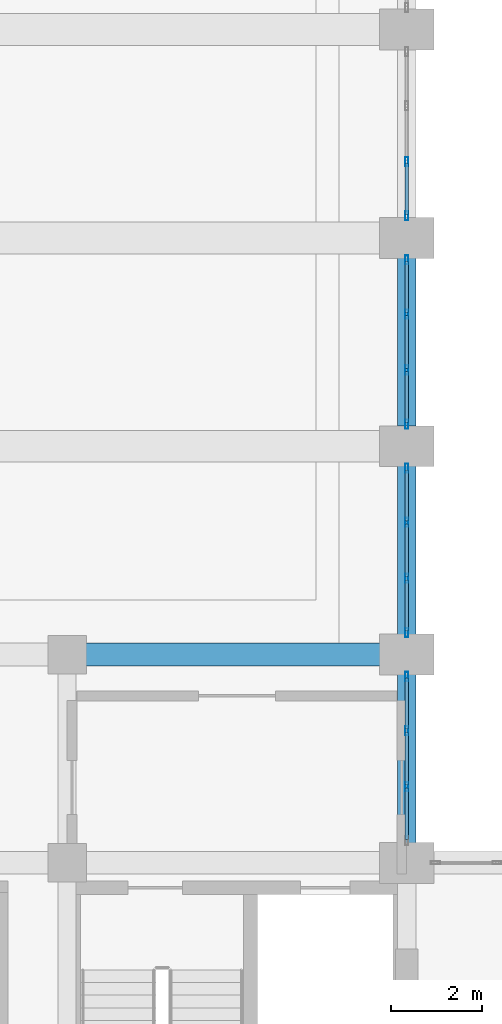
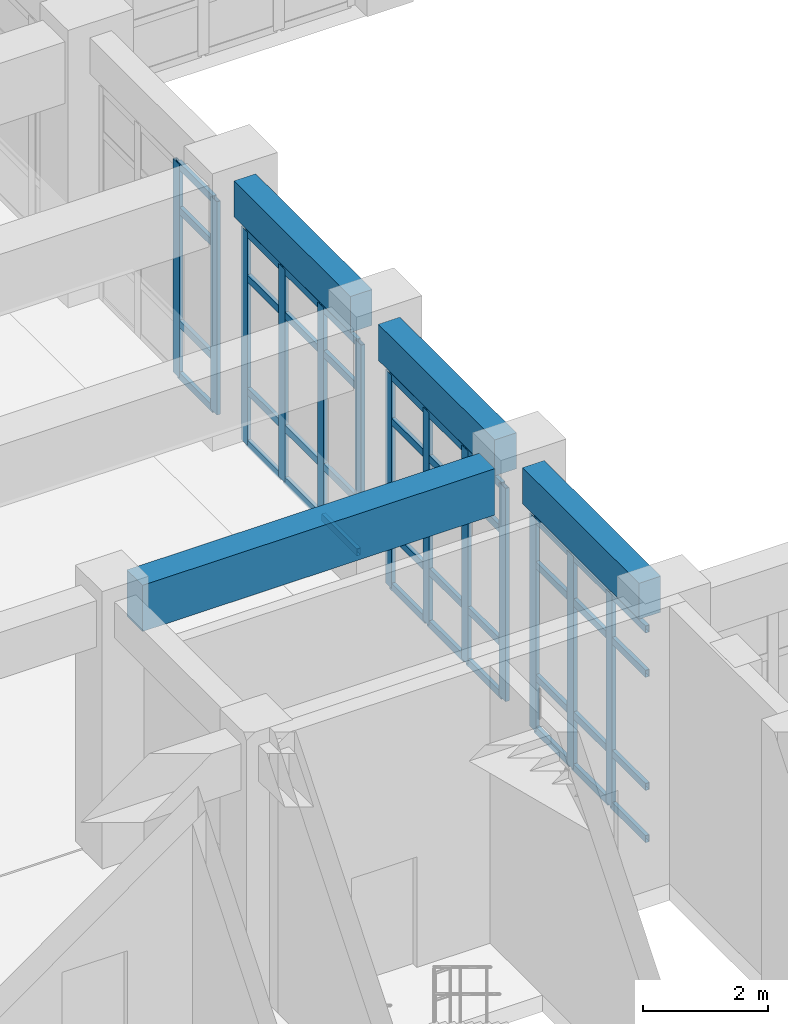
# One storey, part 39 of 84: 53 members, 4 beams, 4 elements without a shape of their own.
"""IFC4 building model written with IfcOpenShell, lengths in metres."""

from ifc_helpers import new_model, si_unit, direction, frame, origin, origin_2d, place, context, subcontext, project, spatial, rectangle, hollow_rectangle, extrude, material, layer, layer_set, material_profile, profile_set, type_object, element, aggregate, save


model = new_model("IFC4")

# Units and contexts
model_context = context("Model", 3, precision=1e-05, world=origin(), true_north=direction((0.0, 1.0)))
body_context = subcontext(model_context, "Body", "Model", "MODEL_VIEW")
ifc_project = project(units=[si_unit("LENGTHUNIT", "METRE"), si_unit("AREAUNIT", "SQUARE_METRE"), si_unit("VOLUMEUNIT", "CUBIC_METRE"), si_unit("PLANEANGLEUNIT", "RADIAN"), si_unit("MASSUNIT", "GRAM", prefix="KILO")], contexts=[model_context])

# Site, building, storey
site_placement = place(None, origin())
site = spatial("IfcSite", under=ifc_project, at=site_placement, CompositionType="ELEMENT")
building_placement = place(site_placement, origin())
building = spatial("IfcBuilding", under=site, at=building_placement, Name="Muzn Square Opera House", CompositionType="ELEMENT")
storey_placement = place(building_placement, origin())
storey = spatial("IfcBuildingStorey", under=building, at=storey_placement, Name="L00", CompositionType="ELEMENT", Elevation=0.0)

# Curtain wall, members
ifc_material_1 = material(Name="Low-E laminated acoustic double glazing", Category="glass")
ifc_layer = layer(ifc_material_1, 0.159912109375, Name="Low-E laminated acoustic double glazing", Category="glass")
ifc_layer_set = layer_set([ifc_layer], Name="Low-E laminated acoustic double glazing")
curtain_wall_type = type_object("IfcCurtainWallType", Name="Glazed Curtain Wall EastVaultCourt 3700x4150", PredefinedType="USERDEFINED", material=ifc_layer_set)
curtain_wall_1_placement = place(storey_placement, origin())
curtain_wall_1 = element("IfcCurtainWall", 1, at=curtain_wall_1_placement, inside=storey, type_object=curtain_wall_type, Name="Glazed Curtain Wall CW-L00-030", ObjectType="GLAZED CURTAIN WALL", PredefinedType="USERDEFINED")
ifc_material_2 = material(Name="Anodised bronze aluminium 6063-T6", Category="metal")
ifc_material_profile_1 = material_profile(ifc_material_2, hollow_rectangle(XDim=0.070068359375, YDim=0.199951171875, WallThickness=0.0048828125, at=origin_2d()), Name="ALU 200x70x5", Category="metal")
ifc_profile_set_1 = profile_set([ifc_material_profile_1], Name="Anodised bronze aluminium 6063-T6")
member_type_1 = type_object("IfcMemberType", Name="Curtain Wall Mullion 200x70", PredefinedType="MULLION", material=ifc_profile_set_1)
member_1_placement = place(storey_placement, frame((133.0, 32.88330078125, 0.0), z_axis=(0.0, 0.0, 1.0), x_axis=(-1.0, 0.0, 0.0)))
member_1 = element("IfcMember", 2, at=member_1_placement, type_object=member_type_1, Name="CW-EVC-37x41 mullion 2", PredefinedType="MULLION", context=body_context, shape_type="SweptSolid", body=[
    extrude(hollow_rectangle(XDim=0.070068359375, YDim=0.199951171875, WallThickness=0.0048828125, at=origin_2d()), origin(), (0.0, 0.0, 1.0), 4.14990234375),
])
member_2_placement = place(storey_placement, frame((133.0, 34.11669921875, 0.0), z_axis=(0.0, 0.0, 1.0), x_axis=(-1.0, 0.0, 0.0)))
member_2 = element("IfcMember", 3, at=member_2_placement, type_object=member_type_1, Name="CW-EVC-37x41 mullion 3", PredefinedType="MULLION", context=body_context, shape_type="SweptSolid", body=[
    extrude(hollow_rectangle(XDim=0.070068359375, YDim=0.199951171875, WallThickness=0.0048828125, at=origin_2d()), origin(), (0.0, 0.0, 1.0), 4.14990234375),
])
member_3_placement = place(storey_placement, frame((133.0, 35.31494140625, 0.0), z_axis=(0.0, 0.0, 1.0), x_axis=(-1.0, 0.0, 0.0)))
member_3 = element("IfcMember", 4, at=member_3_placement, type_object=member_type_1, Name="CW-EVC-37x41 mullion 4", PredefinedType="MULLION", context=body_context, shape_type="SweptSolid", body=[
    extrude(hollow_rectangle(XDim=0.070068359375, YDim=0.199951171875, WallThickness=0.0048828125, at=origin_2d()), origin(), (0.0, 0.0, 1.0), 4.14990234375),
])

curtain_wall_2_placement = place(storey_placement, origin())
curtain_wall_2 = element("IfcCurtainWall", 5, at=curtain_wall_2_placement, inside=storey, type_object=curtain_wall_type, Name="Glazed Curtain Wall CW-L00-032", ObjectType="GLAZED CURTAIN WALL", PredefinedType="USERDEFINED")
member_4_placement = place(storey_placement, frame((133.0, 36.284912109375, 0.0), z_axis=(0.0, 0.0, 1.0), x_axis=(-1.0, 0.0, 0.0)))
member_4 = element("IfcMember", 6, at=member_4_placement, type_object=member_type_1, Name="CW-EVC-37x41 mullion 1", PredefinedType="MULLION", context=body_context, shape_type="SweptSolid", body=[
    extrude(hollow_rectangle(XDim=0.070068359375, YDim=0.199951171875, WallThickness=0.0048828125, at=origin_2d()), origin(), (0.0, 0.0, 1.0), 4.14990234375),
])
member_5_placement = place(storey_placement, frame((133.0, 37.4833984375, 0.0), z_axis=(0.0, 0.0, 1.0), x_axis=(-1.0, 0.0, 0.0)))
member_5 = element("IfcMember", 7, at=member_5_placement, type_object=member_type_1, Name="CW-EVC-37x41 mullion 2", PredefinedType="MULLION", context=body_context, shape_type="SweptSolid", body=[
    extrude(hollow_rectangle(XDim=0.070068359375, YDim=0.199951171875, WallThickness=0.0048828125, at=origin_2d()), origin(), (0.0, 0.0, 1.0), 4.14990234375),
])
member_6_placement = place(storey_placement, frame((133.0, 38.716552734375, 0.0), z_axis=(0.0, 0.0, 1.0), x_axis=(-1.0, 0.0, 0.0)))
member_6 = element("IfcMember", 8, at=member_6_placement, type_object=member_type_1, Name="CW-EVC-37x41 mullion 3", PredefinedType="MULLION", context=body_context, shape_type="SweptSolid", body=[
    extrude(hollow_rectangle(XDim=0.070068359375, YDim=0.199951171875, WallThickness=0.0048828125, at=origin_2d()), origin(), (0.0, 0.0, 1.0), 4.14990234375),
])
member_7_placement = place(storey_placement, frame((133.0, 39.9150390625, 0.0), z_axis=(0.0, 0.0, 1.0), x_axis=(-1.0, 0.0, 0.0)))
member_7 = element("IfcMember", 9, at=member_7_placement, type_object=member_type_1, Name="CW-EVC-37x41 mullion 4", PredefinedType="MULLION", context=body_context, shape_type="SweptSolid", body=[
    extrude(hollow_rectangle(XDim=0.070068359375, YDim=0.199951171875, WallThickness=0.0048828125, at=origin_2d()), origin(), (0.0, 0.0, 1.0), 4.14990234375),
])

curtain_wall_3_placement = place(storey_placement, origin())
curtain_wall_3 = element("IfcCurtainWall", 10, at=curtain_wall_3_placement, inside=storey, type_object=curtain_wall_type, Name="Glazed Curtain Wall CW-L00-034", ObjectType="GLAZED CURTAIN WALL", PredefinedType="USERDEFINED")
member_8_placement = place(storey_placement, frame((133.0, 40.885009765625, 0.0), z_axis=(0.0, 0.0, 1.0), x_axis=(-1.0, 0.0, 0.0)))
member_8 = element("IfcMember", 11, at=member_8_placement, type_object=member_type_1, Name="CW-EVC-37x41 mullion 1", PredefinedType="MULLION", context=body_context, shape_type="SweptSolid", body=[
    extrude(hollow_rectangle(XDim=0.070068359375, YDim=0.199951171875, WallThickness=0.0048828125, at=origin_2d()), origin(), (0.0, 0.0, 1.0), 4.14990234375),
])
member_9_placement = place(storey_placement, frame((133.0, 42.083251953125, 0.0), z_axis=(0.0, 0.0, 1.0), x_axis=(-1.0, 0.0, 0.0)))
member_9 = element("IfcMember", 12, at=member_9_placement, type_object=member_type_1, Name="CW-EVC-37x41 mullion 2", PredefinedType="MULLION", context=body_context, shape_type="SweptSolid", body=[
    extrude(hollow_rectangle(XDim=0.070068359375, YDim=0.199951171875, WallThickness=0.0048828125, at=origin_2d()), origin(), (0.0, 0.0, 1.0), 4.14990234375),
])
member_10_placement = place(storey_placement, frame((133.0, 43.316650390625, 0.0), z_axis=(0.0, 0.0, 1.0), x_axis=(-1.0, 0.0, 0.0)))
member_10 = element("IfcMember", 13, at=member_10_placement, type_object=member_type_1, Name="CW-EVC-37x41 mullion 3", PredefinedType="MULLION", context=body_context, shape_type="SweptSolid", body=[
    extrude(hollow_rectangle(XDim=0.070068359375, YDim=0.199951171875, WallThickness=0.0048828125, at=origin_2d()), origin(), (0.0, 0.0, 1.0), 4.14990234375),
])
member_11_placement = place(storey_placement, frame((133.0, 44.514892578125, 0.0), z_axis=(0.0, 0.0, 1.0), x_axis=(-1.0, 0.0, 0.0)))
member_11 = element("IfcMember", 14, at=member_11_placement, type_object=member_type_1, Name="CW-EVC-37x41 mullion 4", PredefinedType="MULLION", context=body_context, shape_type="SweptSolid", body=[
    extrude(hollow_rectangle(XDim=0.070068359375, YDim=0.199951171875, WallThickness=0.0048828125, at=origin_2d()), origin(), (0.0, 0.0, 1.0), 4.14990234375),
])

curtain_wall_4_placement = place(storey_placement, origin())
curtain_wall_4 = element("IfcCurtainWall", 15, at=curtain_wall_4_placement, inside=storey, type_object=curtain_wall_type, Name="Glazed Curtain Wall CW-L00-036", ObjectType="GLAZED CURTAIN WALL", PredefinedType="USERDEFINED")
member_12_placement = place(storey_placement, frame((133.0, 45.485107421875, 0.0), z_axis=(0.0, 0.0, 1.0), x_axis=(-1.0, 0.0, 0.0)))
member_12 = element("IfcMember", 16, at=member_12_placement, type_object=member_type_1, Name="CW-EVC-37x41 mullion 1", PredefinedType="MULLION", context=body_context, shape_type="SweptSolid", body=[
    extrude(hollow_rectangle(XDim=0.070068359375, YDim=0.199951171875, WallThickness=0.0048828125, at=origin_2d()), origin(), (0.0, 0.0, 1.0), 4.14990234375),
])
member_13_placement = place(storey_placement, frame((133.0, 46.683349609375, 0.0), z_axis=(0.0, 0.0, 1.0), x_axis=(-1.0, 0.0, 0.0)))
member_13 = element("IfcMember", 17, at=member_13_placement, type_object=member_type_1, Name="CW-EVC-37x41 mullion 2", PredefinedType="MULLION", context=body_context, shape_type="SweptSolid", body=[
    extrude(hollow_rectangle(XDim=0.070068359375, YDim=0.199951171875, WallThickness=0.0048828125, at=origin_2d()), origin(), (0.0, 0.0, 1.0), 4.14990234375),
])

# Member
ifc_material_profile_2 = material_profile(ifc_material_2, hollow_rectangle(XDim=0.070068359375, YDim=0.139892578125, WallThickness=0.00390625, at=origin_2d()), Name="ALU 140x70x4", Category="metal")
ifc_profile_set_2 = profile_set([ifc_material_profile_2], Name="Anodised bronze aluminium 6063-T6")
member_type_2 = type_object("IfcMemberType", Name="Curtain Wall Transom 140x70", PredefinedType="USERDEFINED", material=ifc_profile_set_2)
member_14_placement = place(storey_placement, frame((133.0, 31.719970703125, 0.034912109375), z_axis=(0.0, 1.0, 0.0), x_axis=(-1.0, 0.0, 0.0)))
member_14 = element("IfcMember", 18, at=member_14_placement, type_object=member_type_2, Name="CW-EVC-37x41 transom 1.1", ObjectType="TRANSOM", PredefinedType="USERDEFINED", context=body_context, shape_type="SweptSolid", body=[
    extrude(hollow_rectangle(XDim=0.070068359375, YDim=0.139892578125, WallThickness=0.00390625, at=origin_2d()), origin(), (0.0, 0.0, 1.0), 1.12841796875),
])

member_15_placement = place(storey_placement, frame((133.0, 31.719970703125, 1.050048828125), z_axis=(0.0, 1.0, 0.0), x_axis=(-1.0, 0.0, 0.0)))
member_15 = element("IfcMember", 19, at=member_15_placement, type_object=member_type_2, Name="CW-EVC-37x41 transom 1.2", ObjectType="TRANSOM", PredefinedType="USERDEFINED", context=body_context, shape_type="SweptSolid", body=[
    extrude(hollow_rectangle(XDim=0.070068359375, YDim=0.139892578125, WallThickness=0.00390625, at=origin_2d()), origin(), (0.0, 0.0, 1.0), 1.12841796875),
])

member_16_placement = place(storey_placement, frame((133.0, 31.719970703125, 3.25), z_axis=(0.0, 1.0, 0.0), x_axis=(-1.0, 0.0, 0.0)))
member_16 = element("IfcMember", 20, at=member_16_placement, type_object=member_type_2, Name="CW-EVC-37x41 transom 1.3", ObjectType="TRANSOM", PredefinedType="USERDEFINED", context=body_context, shape_type="SweptSolid", body=[
    extrude(hollow_rectangle(XDim=0.070068359375, YDim=0.139892578125, WallThickness=0.00390625, at=origin_2d()), origin(), (0.0, 0.0, 1.0), 1.12841796875),
])

member_17_placement = place(storey_placement, frame((133.0, 31.719970703125, 4.114990234375), z_axis=(0.0, 1.0, 0.0), x_axis=(-1.0, 0.0, 0.0)))
member_17 = element("IfcMember", 21, at=member_17_placement, type_object=member_type_2, Name="CW-EVC-37x41 transom 1.4", ObjectType="TRANSOM", PredefinedType="USERDEFINED", context=body_context, shape_type="SweptSolid", body=[
    extrude(hollow_rectangle(XDim=0.070068359375, YDim=0.139892578125, WallThickness=0.00390625, at=origin_2d()), origin(), (0.0, 0.0, 1.0), 1.12841796875),
])

member_18_placement = place(storey_placement, frame((133.0, 32.918212890625, 0.034912109375), z_axis=(0.0, 1.0, 0.0), x_axis=(-1.0, 0.0, 0.0)))
member_18 = element("IfcMember", 22, at=member_18_placement, type_object=member_type_2, Name="CW-EVC-37x41 transom 2.1", ObjectType="TRANSOM", PredefinedType="USERDEFINED", context=body_context, shape_type="SweptSolid", body=[
    extrude(hollow_rectangle(XDim=0.070068359375, YDim=0.139892578125, WallThickness=0.00390625, at=origin_2d()), origin(), (0.0, 0.0, 1.0), 1.16357421875),
])

member_19_placement = place(storey_placement, frame((133.0, 32.918212890625, 1.050048828125), z_axis=(0.0, 1.0, 0.0), x_axis=(-1.0, 0.0, 0.0)))
member_19 = element("IfcMember", 23, at=member_19_placement, type_object=member_type_2, Name="CW-EVC-37x41 transom 2.2", ObjectType="TRANSOM", PredefinedType="USERDEFINED", context=body_context, shape_type="SweptSolid", body=[
    extrude(hollow_rectangle(XDim=0.070068359375, YDim=0.139892578125, WallThickness=0.00390625, at=origin_2d()), origin(), (0.0, 0.0, 1.0), 1.16357421875),
])

member_20_placement = place(storey_placement, frame((133.0, 32.918212890625, 3.25), z_axis=(0.0, 1.0, 0.0), x_axis=(-1.0, 0.0, 0.0)))
member_20 = element("IfcMember", 24, at=member_20_placement, type_object=member_type_2, Name="CW-EVC-37x41 transom 2.3", ObjectType="TRANSOM", PredefinedType="USERDEFINED", context=body_context, shape_type="SweptSolid", body=[
    extrude(hollow_rectangle(XDim=0.070068359375, YDim=0.139892578125, WallThickness=0.00390625, at=origin_2d()), origin(), (0.0, 0.0, 1.0), 1.16357421875),
])

member_21_placement = place(storey_placement, frame((133.0, 32.918212890625, 4.114990234375), z_axis=(0.0, 1.0, 0.0), x_axis=(-1.0, 0.0, 0.0)))
member_21 = element("IfcMember", 25, at=member_21_placement, type_object=member_type_2, Name="CW-EVC-37x41 transom 2.4", ObjectType="TRANSOM", PredefinedType="USERDEFINED", context=body_context, shape_type="SweptSolid", body=[
    extrude(hollow_rectangle(XDim=0.070068359375, YDim=0.139892578125, WallThickness=0.00390625, at=origin_2d()), origin(), (0.0, 0.0, 1.0), 1.16357421875),
])

member_22_placement = place(storey_placement, frame((133.0, 34.151611328125, 0.034912109375), z_axis=(0.0, 1.0, 0.0), x_axis=(-1.0, 0.0, 0.0)))
member_22 = element("IfcMember", 26, at=member_22_placement, type_object=member_type_2, Name="CW-EVC-37x41 transom 3.1", ObjectType="TRANSOM", PredefinedType="USERDEFINED", context=body_context, shape_type="SweptSolid", body=[
    extrude(hollow_rectangle(XDim=0.070068359375, YDim=0.139892578125, WallThickness=0.00390625, at=origin_2d()), origin(), (0.0, 0.0, 1.0), 1.12841796875),
])

member_23_placement = place(storey_placement, frame((133.0, 34.151611328125, 1.050048828125), z_axis=(0.0, 1.0, 0.0), x_axis=(-1.0, 0.0, 0.0)))
member_23 = element("IfcMember", 27, at=member_23_placement, type_object=member_type_2, Name="CW-EVC-37x41 transom 3.2", ObjectType="TRANSOM", PredefinedType="USERDEFINED", context=body_context, shape_type="SweptSolid", body=[
    extrude(hollow_rectangle(XDim=0.070068359375, YDim=0.139892578125, WallThickness=0.00390625, at=origin_2d()), origin(), (0.0, 0.0, 1.0), 1.12841796875),
])

member_24_placement = place(storey_placement, frame((133.0, 34.151611328125, 3.25), z_axis=(0.0, 1.0, 0.0), x_axis=(-1.0, 0.0, 0.0)))
member_24 = element("IfcMember", 28, at=member_24_placement, type_object=member_type_2, Name="CW-EVC-37x41 transom 3.3", ObjectType="TRANSOM", PredefinedType="USERDEFINED", context=body_context, shape_type="SweptSolid", body=[
    extrude(hollow_rectangle(XDim=0.070068359375, YDim=0.139892578125, WallThickness=0.00390625, at=origin_2d()), origin(), (0.0, 0.0, 1.0), 1.12841796875),
])

member_25_placement = place(storey_placement, frame((133.0, 34.151611328125, 4.114990234375), z_axis=(0.0, 1.0, 0.0), x_axis=(-1.0, 0.0, 0.0)))
member_25 = element("IfcMember", 29, at=member_25_placement, type_object=member_type_2, Name="CW-EVC-37x41 transom 3.4", ObjectType="TRANSOM", PredefinedType="USERDEFINED", context=body_context, shape_type="SweptSolid", body=[
    extrude(hollow_rectangle(XDim=0.070068359375, YDim=0.139892578125, WallThickness=0.00390625, at=origin_2d()), origin(), (0.0, 0.0, 1.0), 1.12841796875),
])

aggregate(curtain_wall_1, [member_1, member_2, member_3, member_14, member_15, member_16, member_17, member_18, member_19, member_20, member_21, member_22, member_23, member_24, member_25])

member_26_placement = place(storey_placement, frame((133.0, 36.320068359375, 0.034912109375), z_axis=(0.0, 1.0, 0.0), x_axis=(-1.0, 0.0, 0.0)))
member_26 = element("IfcMember", 30, at=member_26_placement, type_object=member_type_2, Name="CW-EVC-37x41 transom 1.1", ObjectType="TRANSOM", PredefinedType="USERDEFINED", context=body_context, shape_type="SweptSolid", body=[
    extrude(hollow_rectangle(XDim=0.070068359375, YDim=0.139892578125, WallThickness=0.00390625, at=origin_2d()), origin(), (0.0, 0.0, 1.0), 1.128173828125),
])

member_27_placement = place(storey_placement, frame((133.0, 36.320068359375, 1.050048828125), z_axis=(0.0, 1.0, 0.0), x_axis=(-1.0, 0.0, 0.0)))
member_27 = element("IfcMember", 31, at=member_27_placement, type_object=member_type_2, Name="CW-EVC-37x41 transom 1.2", ObjectType="TRANSOM", PredefinedType="USERDEFINED", context=body_context, shape_type="SweptSolid", body=[
    extrude(hollow_rectangle(XDim=0.070068359375, YDim=0.139892578125, WallThickness=0.00390625, at=origin_2d()), origin(), (0.0, 0.0, 1.0), 1.128173828125),
])

member_28_placement = place(storey_placement, frame((133.0, 36.320068359375, 3.25), z_axis=(0.0, 1.0, 0.0), x_axis=(-1.0, 0.0, 0.0)))
member_28 = element("IfcMember", 32, at=member_28_placement, type_object=member_type_2, Name="CW-EVC-37x41 transom 1.3", ObjectType="TRANSOM", PredefinedType="USERDEFINED", context=body_context, shape_type="SweptSolid", body=[
    extrude(hollow_rectangle(XDim=0.070068359375, YDim=0.139892578125, WallThickness=0.00390625, at=origin_2d()), origin(), (0.0, 0.0, 1.0), 1.128173828125),
])

member_29_placement = place(storey_placement, frame((133.0, 36.320068359375, 4.114990234375), z_axis=(0.0, 1.0, 0.0), x_axis=(-1.0, 0.0, 0.0)))
member_29 = element("IfcMember", 33, at=member_29_placement, type_object=member_type_2, Name="CW-EVC-37x41 transom 1.4", ObjectType="TRANSOM", PredefinedType="USERDEFINED", context=body_context, shape_type="SweptSolid", body=[
    extrude(hollow_rectangle(XDim=0.070068359375, YDim=0.139892578125, WallThickness=0.00390625, at=origin_2d()), origin(), (0.0, 0.0, 1.0), 1.128173828125),
])

member_30_placement = place(storey_placement, frame((133.0, 37.518310546875, 0.034912109375), z_axis=(0.0, 1.0, 0.0), x_axis=(-1.0, 0.0, 0.0)))
member_30 = element("IfcMember", 34, at=member_30_placement, type_object=member_type_2, Name="CW-EVC-37x41 transom 2.1", ObjectType="TRANSOM", PredefinedType="USERDEFINED", context=body_context, shape_type="SweptSolid", body=[
    extrude(hollow_rectangle(XDim=0.070068359375, YDim=0.139892578125, WallThickness=0.00390625, at=origin_2d()), origin(), (0.0, 0.0, 1.0), 1.163330078125),
])

member_31_placement = place(storey_placement, frame((133.0, 37.518310546875, 1.050048828125), z_axis=(0.0, 1.0, 0.0), x_axis=(-1.0, 0.0, 0.0)))
member_31 = element("IfcMember", 35, at=member_31_placement, type_object=member_type_2, Name="CW-EVC-37x41 transom 2.2", ObjectType="TRANSOM", PredefinedType="USERDEFINED", context=body_context, shape_type="SweptSolid", body=[
    extrude(hollow_rectangle(XDim=0.070068359375, YDim=0.139892578125, WallThickness=0.00390625, at=origin_2d()), origin(), (0.0, 0.0, 1.0), 1.163330078125),
])

member_32_placement = place(storey_placement, frame((133.0, 37.518310546875, 3.25), z_axis=(0.0, 1.0, 0.0), x_axis=(-1.0, 0.0, 0.0)))
member_32 = element("IfcMember", 36, at=member_32_placement, type_object=member_type_2, Name="CW-EVC-37x41 transom 2.3", ObjectType="TRANSOM", PredefinedType="USERDEFINED", context=body_context, shape_type="SweptSolid", body=[
    extrude(hollow_rectangle(XDim=0.070068359375, YDim=0.139892578125, WallThickness=0.00390625, at=origin_2d()), origin(), (0.0, 0.0, 1.0), 1.163330078125),
])

member_33_placement = place(storey_placement, frame((133.0, 37.518310546875, 4.114990234375), z_axis=(0.0, 1.0, 0.0), x_axis=(-1.0, 0.0, 0.0)))
member_33 = element("IfcMember", 37, at=member_33_placement, type_object=member_type_2, Name="CW-EVC-37x41 transom 2.4", ObjectType="TRANSOM", PredefinedType="USERDEFINED", context=body_context, shape_type="SweptSolid", body=[
    extrude(hollow_rectangle(XDim=0.070068359375, YDim=0.139892578125, WallThickness=0.00390625, at=origin_2d()), origin(), (0.0, 0.0, 1.0), 1.163330078125),
])

member_34_placement = place(storey_placement, frame((133.0, 38.751708984375, 0.034912109375), z_axis=(0.0, 1.0, 0.0), x_axis=(-1.0, 0.0, 0.0)))
member_34 = element("IfcMember", 38, at=member_34_placement, type_object=member_type_2, Name="CW-EVC-37x41 transom 3.1", ObjectType="TRANSOM", PredefinedType="USERDEFINED", context=body_context, shape_type="SweptSolid", body=[
    extrude(hollow_rectangle(XDim=0.070068359375, YDim=0.139892578125, WallThickness=0.00390625, at=origin_2d()), origin(), (0.0, 0.0, 1.0), 1.128173828125),
])

member_35_placement = place(storey_placement, frame((133.0, 38.751708984375, 1.050048828125), z_axis=(0.0, 1.0, 0.0), x_axis=(-1.0, 0.0, 0.0)))
member_35 = element("IfcMember", 39, at=member_35_placement, type_object=member_type_2, Name="CW-EVC-37x41 transom 3.2", ObjectType="TRANSOM", PredefinedType="USERDEFINED", context=body_context, shape_type="SweptSolid", body=[
    extrude(hollow_rectangle(XDim=0.070068359375, YDim=0.139892578125, WallThickness=0.00390625, at=origin_2d()), origin(), (0.0, 0.0, 1.0), 1.128173828125),
])

member_36_placement = place(storey_placement, frame((133.0, 38.751708984375, 3.25), z_axis=(0.0, 1.0, 0.0), x_axis=(-1.0, 0.0, 0.0)))
member_36 = element("IfcMember", 40, at=member_36_placement, type_object=member_type_2, Name="CW-EVC-37x41 transom 3.3", ObjectType="TRANSOM", PredefinedType="USERDEFINED", context=body_context, shape_type="SweptSolid", body=[
    extrude(hollow_rectangle(XDim=0.070068359375, YDim=0.139892578125, WallThickness=0.00390625, at=origin_2d()), origin(), (0.0, 0.0, 1.0), 1.128173828125),
])

member_37_placement = place(storey_placement, frame((133.0, 38.751708984375, 4.114990234375), z_axis=(0.0, 1.0, 0.0), x_axis=(-1.0, 0.0, 0.0)))
member_37 = element("IfcMember", 41, at=member_37_placement, type_object=member_type_2, Name="CW-EVC-37x41 transom 3.4", ObjectType="TRANSOM", PredefinedType="USERDEFINED", context=body_context, shape_type="SweptSolid", body=[
    extrude(hollow_rectangle(XDim=0.070068359375, YDim=0.139892578125, WallThickness=0.00390625, at=origin_2d()), origin(), (0.0, 0.0, 1.0), 1.128173828125),
])

aggregate(curtain_wall_2, [member_4, member_5, member_6, member_7, member_26, member_27, member_28, member_29, member_30, member_31, member_32, member_33, member_34, member_35, member_36, member_37])

member_38_placement = place(storey_placement, frame((133.0, 40.919921875, 0.034912109375), z_axis=(0.0, 1.0, 0.0), x_axis=(-1.0, 0.0, 0.0)))
member_38 = element("IfcMember", 42, at=member_38_placement, type_object=member_type_2, Name="CW-EVC-37x41 transom 1.1", ObjectType="TRANSOM", PredefinedType="USERDEFINED", context=body_context, shape_type="SweptSolid", body=[
    extrude(hollow_rectangle(XDim=0.070068359375, YDim=0.139892578125, WallThickness=0.00390625, at=origin_2d()), origin(), (0.0, 0.0, 1.0), 1.12841796875),
])

member_39_placement = place(storey_placement, frame((133.0, 40.919921875, 1.050048828125), z_axis=(0.0, 1.0, 0.0), x_axis=(-1.0, 0.0, 0.0)))
member_39 = element("IfcMember", 43, at=member_39_placement, type_object=member_type_2, Name="CW-EVC-37x41 transom 1.2", ObjectType="TRANSOM", PredefinedType="USERDEFINED", context=body_context, shape_type="SweptSolid", body=[
    extrude(hollow_rectangle(XDim=0.070068359375, YDim=0.139892578125, WallThickness=0.00390625, at=origin_2d()), origin(), (0.0, 0.0, 1.0), 1.12841796875),
])

member_40_placement = place(storey_placement, frame((133.0, 40.919921875, 3.25), z_axis=(0.0, 1.0, 0.0), x_axis=(-1.0, 0.0, 0.0)))
member_40 = element("IfcMember", 44, at=member_40_placement, type_object=member_type_2, Name="CW-EVC-37x41 transom 1.3", ObjectType="TRANSOM", PredefinedType="USERDEFINED", context=body_context, shape_type="SweptSolid", body=[
    extrude(hollow_rectangle(XDim=0.070068359375, YDim=0.139892578125, WallThickness=0.00390625, at=origin_2d()), origin(), (0.0, 0.0, 1.0), 1.12841796875),
])

member_41_placement = place(storey_placement, frame((133.0, 40.919921875, 4.114990234375), z_axis=(0.0, 1.0, 0.0), x_axis=(-1.0, 0.0, 0.0)))
member_41 = element("IfcMember", 45, at=member_41_placement, type_object=member_type_2, Name="CW-EVC-37x41 transom 1.4", ObjectType="TRANSOM", PredefinedType="USERDEFINED", context=body_context, shape_type="SweptSolid", body=[
    extrude(hollow_rectangle(XDim=0.070068359375, YDim=0.139892578125, WallThickness=0.00390625, at=origin_2d()), origin(), (0.0, 0.0, 1.0), 1.12841796875),
])

member_42_placement = place(storey_placement, frame((133.0, 42.118408203125, 0.034912109375), z_axis=(0.0, 1.0, 0.0), x_axis=(-1.0, 0.0, 0.0)))
member_42 = element("IfcMember", 46, at=member_42_placement, type_object=member_type_2, Name="CW-EVC-37x41 transom 2.1", ObjectType="TRANSOM", PredefinedType="USERDEFINED", context=body_context, shape_type="SweptSolid", body=[
    extrude(hollow_rectangle(XDim=0.070068359375, YDim=0.139892578125, WallThickness=0.00390625, at=origin_2d()), origin(), (0.0, 0.0, 1.0), 1.163330078125),
])

member_43_placement = place(storey_placement, frame((133.0, 42.118408203125, 1.050048828125), z_axis=(0.0, 1.0, 0.0), x_axis=(-1.0, 0.0, 0.0)))
member_43 = element("IfcMember", 47, at=member_43_placement, type_object=member_type_2, Name="CW-EVC-37x41 transom 2.2", ObjectType="TRANSOM", PredefinedType="USERDEFINED", context=body_context, shape_type="SweptSolid", body=[
    extrude(hollow_rectangle(XDim=0.070068359375, YDim=0.139892578125, WallThickness=0.00390625, at=origin_2d()), origin(), (0.0, 0.0, 1.0), 1.163330078125),
])

member_44_placement = place(storey_placement, frame((133.0, 42.118408203125, 3.25), z_axis=(0.0, 1.0, 0.0), x_axis=(-1.0, 0.0, 0.0)))
member_44 = element("IfcMember", 48, at=member_44_placement, type_object=member_type_2, Name="CW-EVC-37x41 transom 2.3", ObjectType="TRANSOM", PredefinedType="USERDEFINED", context=body_context, shape_type="SweptSolid", body=[
    extrude(hollow_rectangle(XDim=0.070068359375, YDim=0.139892578125, WallThickness=0.00390625, at=origin_2d()), origin(), (0.0, 0.0, 1.0), 1.163330078125),
])

member_45_placement = place(storey_placement, frame((133.0, 42.118408203125, 4.114990234375), z_axis=(0.0, 1.0, 0.0), x_axis=(-1.0, 0.0, 0.0)))
member_45 = element("IfcMember", 49, at=member_45_placement, type_object=member_type_2, Name="CW-EVC-37x41 transom 2.4", ObjectType="TRANSOM", PredefinedType="USERDEFINED", context=body_context, shape_type="SweptSolid", body=[
    extrude(hollow_rectangle(XDim=0.070068359375, YDim=0.139892578125, WallThickness=0.00390625, at=origin_2d()), origin(), (0.0, 0.0, 1.0), 1.163330078125),
])

member_46_placement = place(storey_placement, frame((133.0, 43.3515625, 0.034912109375), z_axis=(0.0, 1.0, 0.0), x_axis=(-1.0, 0.0, 0.0)))
member_46 = element("IfcMember", 50, at=member_46_placement, type_object=member_type_2, Name="CW-EVC-37x41 transom 3.1", ObjectType="TRANSOM", PredefinedType="USERDEFINED", context=body_context, shape_type="SweptSolid", body=[
    extrude(hollow_rectangle(XDim=0.070068359375, YDim=0.139892578125, WallThickness=0.00390625, at=origin_2d()), origin(), (0.0, 0.0, 1.0), 1.12841796875),
])

member_47_placement = place(storey_placement, frame((133.0, 43.3515625, 1.050048828125), z_axis=(0.0, 1.0, 0.0), x_axis=(-1.0, 0.0, 0.0)))
member_47 = element("IfcMember", 51, at=member_47_placement, type_object=member_type_2, Name="CW-EVC-37x41 transom 3.2", ObjectType="TRANSOM", PredefinedType="USERDEFINED", context=body_context, shape_type="SweptSolid", body=[
    extrude(hollow_rectangle(XDim=0.070068359375, YDim=0.139892578125, WallThickness=0.00390625, at=origin_2d()), origin(), (0.0, 0.0, 1.0), 1.12841796875),
])

member_48_placement = place(storey_placement, frame((133.0, 43.3515625, 3.25), z_axis=(0.0, 1.0, 0.0), x_axis=(-1.0, 0.0, 0.0)))
member_48 = element("IfcMember", 52, at=member_48_placement, type_object=member_type_2, Name="CW-EVC-37x41 transom 3.3", ObjectType="TRANSOM", PredefinedType="USERDEFINED", context=body_context, shape_type="SweptSolid", body=[
    extrude(hollow_rectangle(XDim=0.070068359375, YDim=0.139892578125, WallThickness=0.00390625, at=origin_2d()), origin(), (0.0, 0.0, 1.0), 1.12841796875),
])

member_49_placement = place(storey_placement, frame((133.0, 43.3515625, 4.114990234375), z_axis=(0.0, 1.0, 0.0), x_axis=(-1.0, 0.0, 0.0)))
member_49 = element("IfcMember", 53, at=member_49_placement, type_object=member_type_2, Name="CW-EVC-37x41 transom 3.4", ObjectType="TRANSOM", PredefinedType="USERDEFINED", context=body_context, shape_type="SweptSolid", body=[
    extrude(hollow_rectangle(XDim=0.070068359375, YDim=0.139892578125, WallThickness=0.00390625, at=origin_2d()), origin(), (0.0, 0.0, 1.0), 1.12841796875),
])

aggregate(curtain_wall_3, [member_8, member_9, member_10, member_11, member_38, member_39, member_40, member_41, member_42, member_43, member_44, member_45, member_46, member_47, member_48, member_49])

member_50_placement = place(storey_placement, frame((133.0, 45.52001953125, 0.034912109375), z_axis=(0.0, 1.0, 0.0), x_axis=(-1.0, 0.0, 0.0)))
member_50 = element("IfcMember", 54, at=member_50_placement, type_object=member_type_2, Name="CW-EVC-37x41 transom 1.1", ObjectType="TRANSOM", PredefinedType="USERDEFINED", context=body_context, shape_type="SweptSolid", body=[
    extrude(hollow_rectangle(XDim=0.070068359375, YDim=0.139892578125, WallThickness=0.00390625, at=origin_2d()), origin(), (0.0, 0.0, 1.0), 1.12841796875),
])

member_51_placement = place(storey_placement, frame((133.0, 45.52001953125, 1.050048828125), z_axis=(0.0, 1.0, 0.0), x_axis=(-1.0, 0.0, 0.0)))
member_51 = element("IfcMember", 55, at=member_51_placement, type_object=member_type_2, Name="CW-EVC-37x41 transom 1.2", ObjectType="TRANSOM", PredefinedType="USERDEFINED", context=body_context, shape_type="SweptSolid", body=[
    extrude(hollow_rectangle(XDim=0.070068359375, YDim=0.139892578125, WallThickness=0.00390625, at=origin_2d()), origin(), (0.0, 0.0, 1.0), 1.12841796875),
])

member_52_placement = place(storey_placement, frame((133.0, 45.52001953125, 3.25), z_axis=(0.0, 1.0, 0.0), x_axis=(-1.0, 0.0, 0.0)))
member_52 = element("IfcMember", 56, at=member_52_placement, type_object=member_type_2, Name="CW-EVC-37x41 transom 1.3", ObjectType="TRANSOM", PredefinedType="USERDEFINED", context=body_context, shape_type="SweptSolid", body=[
    extrude(hollow_rectangle(XDim=0.070068359375, YDim=0.139892578125, WallThickness=0.00390625, at=origin_2d()), origin(), (0.0, 0.0, 1.0), 1.12841796875),
])

member_53_placement = place(storey_placement, frame((133.0, 45.52001953125, 4.114990234375), z_axis=(0.0, 1.0, 0.0), x_axis=(-1.0, 0.0, 0.0)))
member_53 = element("IfcMember", 57, at=member_53_placement, type_object=member_type_2, Name="CW-EVC-37x41 transom 1.4", ObjectType="TRANSOM", PredefinedType="USERDEFINED", context=body_context, shape_type="SweptSolid", body=[
    extrude(hollow_rectangle(XDim=0.070068359375, YDim=0.139892578125, WallThickness=0.00390625, at=origin_2d()), origin(), (0.0, 0.0, 1.0), 1.12841796875),
])

aggregate(curtain_wall_4, [member_12, member_13, member_50, member_51, member_52, member_53])

# Beams
ifc_material_3 = material(Name="Concrete C40/50", Category="concrete")
ifc_material_profile_3 = material_profile(ifc_material_3, rectangle(XDim=0.39990234375, YDim=0.699951171875, at=origin_2d()), Name="RCB 400x700", Category="concrete")
ifc_profile_set_3 = profile_set([ifc_material_profile_3], Name="Concrete C40/50")
beam_type_1 = type_object("IfcBeamType", Name="Primary Girder 400x700", PredefinedType="BEAM", material=ifc_profile_set_3)
beam_1_placement = place(storey_placement, frame((133.0, 31.64208984375, 4.77001953125), z_axis=(0.0, 1.0, 0.0), x_axis=(-1.0, 0.0, 0.0)))
element("IfcBeam", 58, at=beam_1_placement, inside=storey, type_object=beam_type_1, Name="Primary Girder BM-L00-BM-PG700-1330_316_1330_354-1106", PredefinedType="BEAM", context=body_context, shape_type="SweptSolid", body=[
    extrude(rectangle(XDim=0.39990234375, YDim=0.699951171875, at=origin_2d()), origin(), (0.0, 0.0, 1.0), 3.7158203125),
])
for number, where, z_axis, x_axis, name in (
    (59, (133.0, 36.241943359375, 4.77001953125), (0.0, 1.0, 0.0), (-1.0, 0.0, 0.0), "Primary Girder BM-L00-BM-PG700-1330_362_1330_400-1107"),
    (60, (133.0, 40.842041015625, 4.77001953125), (0.0, 1.0, 0.0), (-1.0, 0.0, 0.0), "Primary Girder BM-L00-BM-PG700-1330_408_1330_446-1108"),
):
    element("IfcBeam", number, at=place(storey_placement, frame(where, z_axis=z_axis, x_axis=x_axis)), inside=storey, type_object=beam_type_1, Name=name, PredefinedType="BEAM", context=body_context, shape_type="SweptSolid", body=[
        extrude(rectangle(XDim=0.39990234375, YDim=0.699951171875, at=origin_2d()), origin(), (0.0, 0.0, 1.0), 3.716064453125),
    ])
ifc_material_profile_4 = material_profile(ifc_material_3, rectangle(XDim=0.5, YDim=0.89990234375, at=origin_2d()), Name="RCB 500x900", Category="concrete")
ifc_profile_set_4 = profile_set([ifc_material_profile_4], Name="Concrete C40/50")
beam_type_2 = type_object("IfcBeamType", Name="Primary Girder 500x900", PredefinedType="BEAM", material=ifc_profile_set_4)
beam_2_placement = place(storey_placement, frame((125.9169921875, 35.800048828125, 4.669921875), z_axis=(1.0, 0.0, 0.0), x_axis=(0.0, 1.0, 0.0)))
element("IfcBeam", 61, at=beam_2_placement, inside=storey, type_object=beam_type_2, Name="Primary Girder BM-L00-BM-PG900-1259_358_1324_358-818", PredefinedType="BEAM", context=body_context, shape_type="SweptSolid", body=[
    extrude(rectangle(XDim=0.5, YDim=0.89990234375, at=origin_2d()), origin(), (0.0, 0.0, 1.0), 6.490966796875),
])

save(model, "model.ifc")
